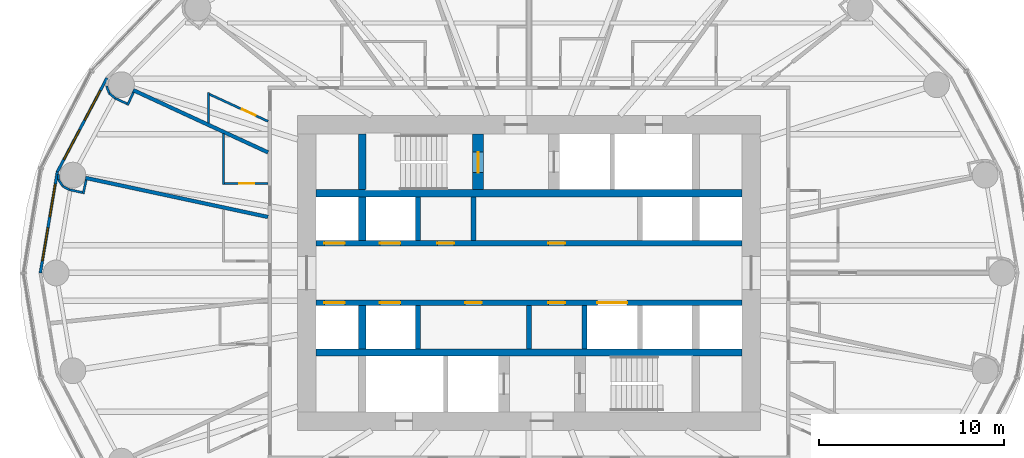
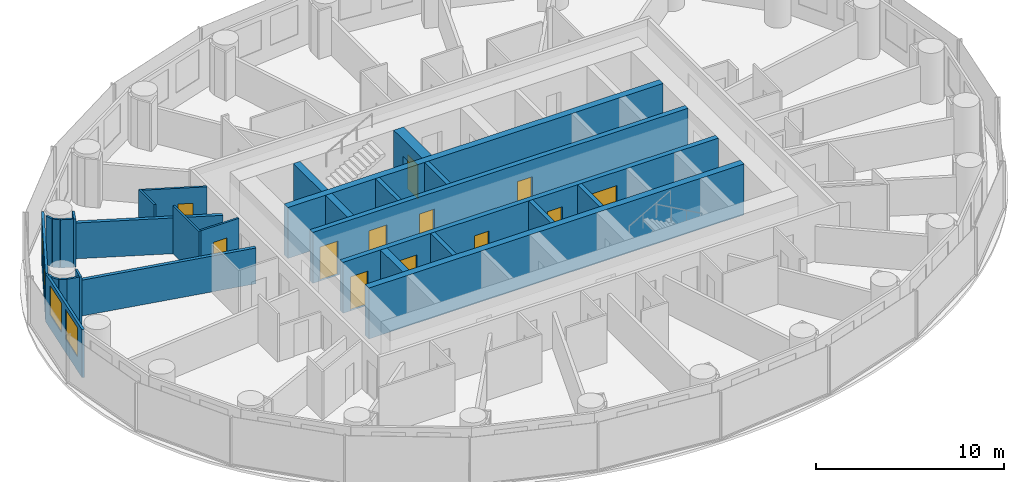
# One storey, part 8 of 14: 30 walls, 12 doors, 4 windows, 16 openings.
"""IFC4 building model written with IfcOpenShell, lengths in metres."""

from ifc_helpers import new_model, si_unit, direction, frame, frame_2d, origin, place, context, subcontext, project, spatial, rectangle, extrude, material, layer, layer_set, type_object, element, fill, save


model = new_model("IFC4")

# Units and contexts
model_context = context("Model", 3, precision=1e-05, world=origin(), true_north=direction((0.0, 1.0)))
body_context = subcontext(model_context, "Body", "Model", "MODEL_VIEW")
ifc_project = project(units=[si_unit("LENGTHUNIT", "METRE"), si_unit("AREAUNIT", "SQUARE_METRE"), si_unit("VOLUMEUNIT", "CUBIC_METRE"), si_unit("PLANEANGLEUNIT", "RADIAN"), si_unit("MASSUNIT", "GRAM", prefix="KILO")], contexts=[model_context])

# Site, building, storey
site_placement = place(None, origin())
site = spatial("IfcSite", under=ifc_project, at=site_placement, CompositionType="ELEMENT")
building_placement = place(site_placement, origin())
building = spatial("IfcBuilding", under=site, at=building_placement, Name="Hankou Lantern Tower", CompositionType="ELEMENT")
storey_placement = place(building_placement, frame((0.0, 0.0, 60.60009765625)))
storey = spatial("IfcBuildingStorey", under=building, at=storey_placement, Name="L14", CompositionType="ELEMENT", Elevation=60.60009765625)

# Walls
ifc_material_1 = material(Name="Concrete C60", Category="concrete")
ifc_layer_1 = layer(ifc_material_1, 0.39990234375)
ifc_layer_set_1 = layer_set([ifc_layer_1], Name="Concrete C60")
wall_type_1 = type_object("IfcWallType", Name="CW4 CORE CROSS WALL 400", PredefinedType="SHEAR", material=ifc_layer_set_1)
for number, where, z_axis, x_axis, name in (
    (1, (-11.5, 4.300048828125, 0.0), (0.0, 0.0, 1.0), (1.0, 0.0, 0.0), "Core band wall north L14"),
    (2, (-11.5, -4.300048828125, 0.0), (0.0, 0.0, 1.0), (1.0, 0.0, 0.0), "Core band wall south L14"),
):
    element("IfcWall", number, at=place(storey_placement, frame(where, z_axis=z_axis, x_axis=x_axis)), inside=storey, type_object=wall_type_1, Name=name, PredefinedType="SHEAR", context=body_context, shape_type="SweptSolid", body=[
        extrude(rectangle(XDim=23.0, YDim=0.39990234375, at=frame_2d((11.5, 0.0))), origin(), (0.0, 0.0, 1.0), 3.2998046875),
    ])
wall_1_placement = place(storey_placement, frame((-9.0, 4.5, 0.0), z_axis=(0.0, 0.0, 1.0), x_axis=(0.0, 1.0, 0.0)))
element("IfcWall", 3, at=wall_1_placement, inside=storey, type_object=wall_type_1, Name="Core strip wall L14", PredefinedType="SHEAR", context=body_context, shape_type="SweptSolid", body=[
    extrude(rectangle(XDim=3.0, YDim=0.39990234375, at=frame_2d((1.5, 0.0))), origin(), (0.0, 0.0, 1.0), 3.2998046875),
])
for number, where, z_axis, x_axis, name in (
    (4, (-9.0, 1.75, 0.0), (0.0, 0.0, 1.0), (0.0, 1.0, 0.0), "Core strip wall L14"),
    (5, (-9.0, -4.10009765625, 0.0), (0.0, 0.0, 1.0), (0.0, 1.0, 0.0), "Core strip wall L14"),
):
    element("IfcWall", number, at=place(storey_placement, frame(where, z_axis=z_axis, x_axis=x_axis)), inside=storey, type_object=wall_type_1, Name=name, PredefinedType="SHEAR", context=body_context, shape_type="SweptSolid", body=[
        extrude(rectangle(XDim=2.35009765625, YDim=0.39990234375, at=frame_2d((1.175048828125, 0.0))), origin(), (0.0, 0.0, 1.0), 3.2998046875),
    ])

# Wall, openings, doors
ifc_material_2 = material(Name="Concrete C60", Category="concrete")
ifc_layer_2 = layer(ifc_material_2, 0.300048828125)
ifc_layer_set_2 = layer_set([ifc_layer_2], Name="Concrete C60")
wall_type_2 = type_object("IfcWallType", Name="CW5 LIFT LOBBY WALL 300", PredefinedType="SHEAR", material=ifc_layer_set_2)
wall_2_placement = place(storey_placement, frame((-11.5, 1.60009765625, 0.0), z_axis=(0.0, 0.0, 1.0), x_axis=(1.0, 0.0, 0.0)))
wall_2 = element("IfcWall", 6, at=wall_2_placement, inside=storey, type_object=wall_type_2, Name="Lift lobby wall north L14", PredefinedType="SHEAR", context=body_context, shape_type="SweptSolid", body=[
    extrude(rectangle(XDim=23.0, YDim=0.300048828125, at=frame_2d((11.5, 0.0))), origin(), (0.0, 0.0, 1.0), 3.2998046875),
])
opening_1_placement = place(wall_2_placement, frame((0.449951171875, 0.0, 0.0)))
opening_1 = element("IfcOpeningElement", 7, at=opening_1_placement, cuts=wall_2, Name="Opening LD1", PredefinedType="OPENING", context=body_context, shape_type="SweptSolid", body=[
    extrude(rectangle(XDim=1.10009765625, YDim=2.199951171875, at=frame_2d((0.550048828125, 1.10009765625))), frame((0.0, 0.159912109375, 0.0), z_axis=(0.0, -1.0, 0.0), x_axis=(1.0, 0.0, 0.0)), (0.0, 0.0, 1.0), 0.320068359375),
])
opening_2_placement = place(wall_2_placement, frame((3.449951171875, 0.0, 0.0)))
opening_2 = element("IfcOpeningElement", 8, at=opening_2_placement, cuts=wall_2, Name="Opening LD1", PredefinedType="OPENING", context=body_context, shape_type="SweptSolid", body=[
    extrude(rectangle(XDim=1.10009765625, YDim=2.199951171875, at=frame_2d((0.550048828125, 1.10009765625))), frame((0.0, 0.159912109375, 0.0), z_axis=(0.0, -1.0, 0.0), x_axis=(1.0, 0.0, 0.0)), (0.0, 0.0, 1.0), 0.320068359375),
])
opening_3_placement = place(wall_2_placement, frame((6.550048828125, 0.0, 0.0)))
opening_3 = element("IfcOpeningElement", 9, at=opening_3_placement, cuts=wall_2, Name="Opening D30", PredefinedType="OPENING", context=body_context, shape_type="SweptSolid", body=[
    extrude(rectangle(XDim=0.89990234375, YDim=2.199951171875, at=frame_2d((0.449951171875, 1.10009765625))), frame((0.0, 0.159912109375, 0.0), z_axis=(0.0, -1.0, 0.0), x_axis=(1.0, 0.0, 0.0)), (0.0, 0.0, 1.0), 0.320068359375),
])
opening_4_placement = place(wall_2_placement, frame((12.550048828125, 0.0, 0.0)))
opening_4 = element("IfcOpeningElement", 10, at=opening_4_placement, cuts=wall_2, Name="Opening D30", PredefinedType="OPENING", context=body_context, shape_type="SweptSolid", body=[
    extrude(rectangle(XDim=0.89990234375, YDim=2.199951171875, at=frame_2d((0.449951171875, 1.10009765625))), frame((0.0, 0.159912109375, 0.0), z_axis=(0.0, -1.0, 0.0), x_axis=(1.0, 0.0, 0.0)), (0.0, 0.0, 1.0), 0.320068359375),
])
ifc_material_3 = material(Name="Steel door leaf", Category="steel")
door_type_1 = type_object("IfcDoorType", Name="D30 CORE ROOM DOOR 900X2200", OperationType="SINGLE_SWING_LEFT", PredefinedType="DOOR", material=ifc_material_3)
door_1_placement = place(opening_3_placement, origin())
door_1 = element("IfcDoor", 11, at=door_1_placement, inside=storey, type_object=door_type_1, Name="Room service pantry door", OperationType="SINGLE_SWING_LEFT", OverallHeight=2.199951171875, OverallWidth=0.89990234375, PredefinedType="DOOR", context=body_context, shape_type="SweptSolid", body=[
    extrude(rectangle(XDim=0.89990234375, YDim=2.199951171875, at=frame_2d((0.449951171875, 1.10009765625))), frame((0.0, 0.02490234375, 0.0), z_axis=(0.0, -1.0, 0.0), x_axis=(1.0, 0.0, 0.0)), (0.0, 0.0, 1.0), 0.050048828125),
])
fill(opening_3, door_1)
door_2_placement = place(opening_4_placement, origin())
door_2 = element("IfcDoor", 12, at=door_2_placement, inside=storey, type_object=door_type_1, Name="Housekeeping and linen store door", OperationType="SINGLE_SWING_RIGHT", OverallHeight=2.199951171875, OverallWidth=0.89990234375, PredefinedType="DOOR", context=body_context, shape_type="SweptSolid", body=[
    extrude(rectangle(XDim=0.89990234375, YDim=2.199951171875, at=frame_2d((0.449951171875, 1.10009765625))), frame((0.0, 0.02490234375, 0.0), z_axis=(0.0, -1.0, 0.0), x_axis=(1.0, 0.0, 0.0)), (0.0, 0.0, 1.0), 0.050048828125),
])
fill(opening_4, door_2)
ifc_material_4 = material(Name="Steel door leaf", Category="steel")
door_type_2 = type_object("IfcDoorType", Name="LD1 LIFT LANDING DOOR 1100X2200", OperationType="DOUBLE_DOOR_SLIDING", PredefinedType="DOOR", material=ifc_material_4)
door_3_placement = place(opening_1_placement, origin())
door_3 = element("IfcDoor", 13, at=door_3_placement, inside=storey, type_object=door_type_2, Name="Lift L1 landing door", OperationType="DOUBLE_DOOR_SLIDING", OverallHeight=2.199951171875, OverallWidth=1.10009765625, PredefinedType="DOOR", context=body_context, shape_type="SweptSolid", body=[
    extrude(rectangle(XDim=1.10009765625, YDim=2.199951171875, at=frame_2d((0.550048828125, 1.10009765625))), frame((0.0, 0.02490234375, 0.0), z_axis=(0.0, -1.0, 0.0), x_axis=(1.0, 0.0, 0.0)), (0.0, 0.0, 1.0), 0.050048828125),
])
fill(opening_1, door_3)
door_4_placement = place(opening_2_placement, origin())
door_4 = element("IfcDoor", 14, at=door_4_placement, inside=storey, type_object=door_type_2, Name="Lift L2 landing door", OperationType="DOUBLE_DOOR_SLIDING", OverallHeight=2.199951171875, OverallWidth=1.10009765625, PredefinedType="DOOR", context=body_context, shape_type="SweptSolid", body=[
    extrude(rectangle(XDim=1.10009765625, YDim=2.199951171875, at=frame_2d((0.550048828125, 1.10009765625))), frame((0.0, 0.02490234375, 0.0), z_axis=(0.0, -1.0, 0.0), x_axis=(1.0, 0.0, 0.0)), (0.0, 0.0, 1.0), 0.050048828125),
])
fill(opening_2, door_4)

wall_3_placement = place(storey_placement, frame((-11.5, -1.60009765625, 0.0), z_axis=(0.0, 0.0, 1.0), x_axis=(1.0, 0.0, 0.0)))
wall_3 = element("IfcWall", 15, at=wall_3_placement, inside=storey, type_object=wall_type_2, Name="Lift lobby wall south L14", PredefinedType="SHEAR", context=body_context, shape_type="SweptSolid", body=[
    extrude(rectangle(XDim=23.0, YDim=0.300048828125, at=frame_2d((11.5, 0.0))), origin(), (0.0, 0.0, 1.0), 3.2998046875),
])
opening_5_placement = place(wall_3_placement, frame((0.449951171875, 0.0, 0.0)))
opening_5 = element("IfcOpeningElement", 16, at=opening_5_placement, cuts=wall_3, Name="Opening LD1", PredefinedType="OPENING", context=body_context, shape_type="SweptSolid", body=[
    extrude(rectangle(XDim=1.10009765625, YDim=2.199951171875, at=frame_2d((0.550048828125, 1.10009765625))), frame((0.0, 0.159912109375, 0.0), z_axis=(0.0, -1.0, 0.0), x_axis=(1.0, 0.0, 0.0)), (0.0, 0.0, 1.0), 0.320068359375),
])
opening_6_placement = place(wall_3_placement, frame((3.449951171875, 0.0, 0.0)))
opening_6 = element("IfcOpeningElement", 17, at=opening_6_placement, cuts=wall_3, Name="Opening LD1", PredefinedType="OPENING", context=body_context, shape_type="SweptSolid", body=[
    extrude(rectangle(XDim=1.10009765625, YDim=2.199951171875, at=frame_2d((0.550048828125, 1.10009765625))), frame((0.0, 0.159912109375, 0.0), z_axis=(0.0, -1.0, 0.0), x_axis=(1.0, 0.0, 0.0)), (0.0, 0.0, 1.0), 0.320068359375),
])
opening_7_placement = place(wall_3_placement, frame((15.199951171875, 0.0, 0.0)))
opening_7 = element("IfcOpeningElement", 18, at=opening_7_placement, cuts=wall_3, Name="Opening LD4", PredefinedType="OPENING", context=body_context, shape_type="SweptSolid", body=[
    extrude(rectangle(XDim=1.60009765625, YDim=2.39990234375, at=frame_2d((0.800048828125, 1.199951171875))), frame((0.0, 0.159912109375, 0.0), z_axis=(0.0, -1.0, 0.0), x_axis=(1.0, 0.0, 0.0)), (0.0, 0.0, 1.0), 0.320068359375),
])
opening_8_placement = place(wall_3_placement, frame((8.050048828125, 0.0, 0.0)))
opening_8 = element("IfcOpeningElement", 19, at=opening_8_placement, cuts=wall_3, Name="Opening D30", PredefinedType="OPENING", context=body_context, shape_type="SweptSolid", body=[
    extrude(rectangle(XDim=0.89990234375, YDim=2.199951171875, at=frame_2d((0.449951171875, 1.10009765625))), frame((0.0, 0.159912109375, 0.0), z_axis=(0.0, -1.0, 0.0), x_axis=(1.0, 0.0, 0.0)), (0.0, 0.0, 1.0), 0.320068359375),
])
opening_9_placement = place(wall_3_placement, frame((12.550048828125, 0.0, 0.0)))
opening_9 = element("IfcOpeningElement", 20, at=opening_9_placement, cuts=wall_3, Name="Opening D30", PredefinedType="OPENING", context=body_context, shape_type="SweptSolid", body=[
    extrude(rectangle(XDim=0.89990234375, YDim=2.199951171875, at=frame_2d((0.449951171875, 1.10009765625))), frame((0.0, 0.159912109375, 0.0), z_axis=(0.0, -1.0, 0.0), x_axis=(1.0, 0.0, 0.0)), (0.0, 0.0, 1.0), 0.320068359375),
])
door_5_placement = place(opening_8_placement, origin())
door_5 = element("IfcDoor", 21, at=door_5_placement, inside=storey, type_object=door_type_1, Name="Staff locker room door", OperationType="SINGLE_SWING_LEFT", OverallHeight=2.199951171875, OverallWidth=0.89990234375, PredefinedType="DOOR", context=body_context, shape_type="SweptSolid", body=[
    extrude(rectangle(XDim=0.89990234375, YDim=2.199951171875, at=frame_2d((0.449951171875, 1.10009765625))), frame((0.0, 0.02490234375, 0.0), z_axis=(0.0, -1.0, 0.0), x_axis=(1.0, 0.0, 0.0)), (0.0, 0.0, 1.0), 0.050048828125),
])
fill(opening_8, door_5)
door_6_placement = place(opening_9_placement, origin())
door_6 = element("IfcDoor", 22, at=door_6_placement, inside=storey, type_object=door_type_1, Name="Guest pantry and ice room door", OperationType="SINGLE_SWING_RIGHT", OverallHeight=2.199951171875, OverallWidth=0.89990234375, PredefinedType="DOOR", context=body_context, shape_type="SweptSolid", body=[
    extrude(rectangle(XDim=0.89990234375, YDim=2.199951171875, at=frame_2d((0.449951171875, 1.10009765625))), frame((0.0, 0.02490234375, 0.0), z_axis=(0.0, -1.0, 0.0), x_axis=(1.0, 0.0, 0.0)), (0.0, 0.0, 1.0), 0.050048828125),
])
fill(opening_9, door_6)
door_7_placement = place(opening_5_placement, origin())
door_7 = element("IfcDoor", 23, at=door_7_placement, inside=storey, type_object=door_type_2, Name="Lift L3 landing door", OperationType="DOUBLE_DOOR_SLIDING", OverallHeight=2.199951171875, OverallWidth=1.10009765625, PredefinedType="DOOR", context=body_context, shape_type="SweptSolid", body=[
    extrude(rectangle(XDim=1.10009765625, YDim=2.199951171875, at=frame_2d((0.550048828125, 1.10009765625))), frame((0.0, 0.02490234375, 0.0), z_axis=(0.0, -1.0, 0.0), x_axis=(1.0, 0.0, 0.0)), (0.0, 0.0, 1.0), 0.050048828125),
])
fill(opening_5, door_7)
door_8_placement = place(opening_6_placement, origin())
door_8 = element("IfcDoor", 24, at=door_8_placement, inside=storey, type_object=door_type_2, Name="Lift L4 landing door", OperationType="DOUBLE_DOOR_SLIDING", OverallHeight=2.199951171875, OverallWidth=1.10009765625, PredefinedType="DOOR", context=body_context, shape_type="SweptSolid", body=[
    extrude(rectangle(XDim=1.10009765625, YDim=2.199951171875, at=frame_2d((0.550048828125, 1.10009765625))), frame((0.0, 0.02490234375, 0.0), z_axis=(0.0, -1.0, 0.0), x_axis=(1.0, 0.0, 0.0)), (0.0, 0.0, 1.0), 0.050048828125),
])
fill(opening_6, door_8)
ifc_material_5 = material(Name="Steel door leaf", Category="steel")
door_type_3 = type_object("IfcDoorType", Name="LD4 SERVICE LIFT LANDING DOOR 1600X2400", OperationType="DOUBLE_DOOR_SLIDING", PredefinedType="DOOR", material=ifc_material_5)
door_9_placement = place(opening_7_placement, origin())
door_9 = element("IfcDoor", 25, at=door_9_placement, inside=storey, type_object=door_type_3, Name="Lift SV1 landing door", OperationType="DOUBLE_DOOR_SLIDING", OverallHeight=2.39990234375, OverallWidth=1.60009765625, PredefinedType="DOOR", context=body_context, shape_type="SweptSolid", body=[
    extrude(rectangle(XDim=1.60009765625, YDim=2.39990234375, at=frame_2d((0.800048828125, 1.199951171875))), frame((0.0, 0.02490234375, 0.0), z_axis=(0.0, -1.0, 0.0), x_axis=(1.0, 0.0, 0.0)), (0.0, 0.0, 1.0), 0.050048828125),
])
fill(opening_7, door_9)

# Wall, opening, door
ifc_material_6 = material(Name="Concrete C60", Category="concrete")
ifc_layer_3 = layer(ifc_material_6, 0.60009765625)
ifc_layer_set_3 = layer_set([ifc_layer_3], Name="Concrete C60")
wall_type_3 = type_object("IfcWallType", Name="CW6 STAIR AND SHAFT WALL 600", PredefinedType="SHEAR", material=ifc_layer_set_3)
wall_4_placement = place(storey_placement, frame((-2.75, 4.5, 0.0), z_axis=(0.0, 0.0, 1.0), x_axis=(0.0, 1.0, 0.0)))
wall_4 = element("IfcWall", 26, at=wall_4_placement, inside=storey, type_object=wall_type_3, Name="Stair wall L14", PredefinedType="SHEAR", context=body_context, shape_type="SweptSolid", body=[
    extrude(rectangle(XDim=3.0, YDim=0.60009765625, at=frame_2d((1.5, 0.0))), origin(), (0.0, 0.0, 1.0), 3.2998046875),
])
opening_10_placement = place(wall_4_placement, frame((0.925048828125, 0.0, 0.0)))
opening_10 = element("IfcOpeningElement", 27, at=opening_10_placement, cuts=wall_4, Name="Opening D4", PredefinedType="OPENING", context=body_context, shape_type="SweptSolid", body=[
    extrude(rectangle(XDim=1.10009765625, YDim=2.199951171875, at=frame_2d((0.550048828125, 1.10009765625))), frame((0.0, 0.31005859375, 0.0), z_axis=(0.0, -1.0, 0.0), x_axis=(1.0, 0.0, 0.0)), (0.0, 0.0, 1.0), 0.6201171875),
])
ifc_material_7 = material(Name="Steel door leaf", Category="steel")
door_type_4 = type_object("IfcDoorType", Name="D4 STAIR DOOR 1100X2200", OperationType="SINGLE_SWING_LEFT", PredefinedType="DOOR", material=ifc_material_7)
door_10_placement = place(opening_10_placement, origin())
door_10 = element("IfcDoor", 28, at=door_10_placement, inside=storey, type_object=door_type_4, Name="Stair A door", OperationType="SINGLE_SWING_LEFT", OverallHeight=2.199951171875, OverallWidth=1.10009765625, PredefinedType="DOOR", context=body_context, shape_type="SweptSolid", body=[
    extrude(rectangle(XDim=1.10009765625, YDim=2.199951171875, at=frame_2d((0.550048828125, 1.10009765625))), frame((0.0, 0.02490234375, 0.0), z_axis=(0.0, -1.0, 0.0), x_axis=(1.0, 0.0, 0.0)), (0.0, 0.0, 1.0), 0.050048828125),
])
fill(opening_10, door_10)

# Wall, openings, windows
ifc_material_8 = material(Name="Aluminium spandrel panel on steel studs", Category="steel")
ifc_layer_4 = layer(ifc_material_8, 0.14990234375)
ifc_layer_set_4 = layer_set([ifc_layer_4], Name="Aluminium spandrel panel on steel studs")
wall_type_4 = type_object("IfcWallType", Name="EW1 INNER SKIN WALL 150", PredefinedType="ELEMENTEDWALL", material=ifc_layer_set_4)
wall_5_placement = place(storey_placement, frame((-22.802734375, 10.5322265625, 0.0), z_axis=(0.0, 0.0, 1.0), x_axis=(-0.467296867008, -0.884100468321, 0.0)))
wall_5 = element("IfcWall", 29, at=wall_5_placement, inside=storey, type_object=wall_type_4, Name="Inner skin R11-R12 L14", PredefinedType="ELEMENTEDWALL", context=body_context, shape_type="SweptSolid", body=[
    extrude(rectangle(XDim=5.734375, YDim=0.14990234375, at=frame_2d((2.8671875, 0.0))), origin(), (0.0, 0.0, 1.0), 3.119873046875),
])
opening_11_placement = place(wall_5_placement, frame((0.76708984375, 0.0, 0.89990234375)))
opening_11 = element("IfcOpeningElement", 30, at=opening_11_placement, cuts=wall_5, Name="Opening W1", PredefinedType="OPENING", context=body_context, shape_type="SweptSolid", body=[
    extrude(rectangle(XDim=1.800048828125, YDim=1.89990234375, at=frame_2d((0.89990234375, 0.949951171875))), frame((0.0, 0.0849609375, 0.0), z_axis=(0.0, -1.0, 0.0), x_axis=(1.0, 0.0, 0.0)), (0.0, 0.0, 1.0), 0.169921875),
])
opening_12_placement = place(wall_5_placement, frame((3.167236328125, 0.0, 0.89990234375)))
opening_12 = element("IfcOpeningElement", 31, at=opening_12_placement, cuts=wall_5, Name="Opening W1", PredefinedType="OPENING", context=body_context, shape_type="SweptSolid", body=[
    extrude(rectangle(XDim=1.800048828125, YDim=1.89990234375, at=frame_2d((0.89990234375, 0.949951171875))), frame((0.0, 0.0849609375, 0.0), z_axis=(0.0, -1.0, 0.0), x_axis=(1.0, 0.0, 0.0)), (0.0, 0.0, 1.0), 0.169921875),
])
ifc_material_9 = material(Name="Aluminium framed double glazed window", Category="aluminium")
window_type = type_object("IfcWindowType", Name="W1 GUEST ROOM WINDOW 1800X1900", PartitioningType="DOUBLE_PANEL_VERTICAL", PredefinedType="WINDOW", material=ifc_material_9)
window_1_placement = place(opening_11_placement, origin())
window_1 = element("IfcWindow", 32, at=window_1_placement, inside=storey, type_object=window_type, Name="Window R11.1 L14", OverallHeight=1.89990234375, OverallWidth=1.800048828125, PartitioningType="SINGLE_PANEL", PredefinedType="WINDOW", context=body_context, shape_type="SweptSolid", body=[
    extrude(rectangle(XDim=1.800048828125, YDim=1.89990234375, at=frame_2d((0.89990234375, 0.949951171875))), frame((0.0, 0.030029296875, 0.0), z_axis=(0.0, -1.0, 0.0), x_axis=(1.0, 0.0, 0.0)), (0.0, 0.0, 1.0), 0.06005859375),
])
fill(opening_11, window_1)
window_2_placement = place(opening_12_placement, origin())
window_2 = element("IfcWindow", 33, at=window_2_placement, inside=storey, type_object=window_type, Name="Window R11.2 L14", OverallHeight=1.89990234375, OverallWidth=1.800048828125, PartitioningType="SINGLE_PANEL", PredefinedType="WINDOW", context=body_context, shape_type="SweptSolid", body=[
    extrude(rectangle(XDim=1.800048828125, YDim=1.89990234375, at=frame_2d((0.89990234375, 0.949951171875))), frame((0.0, 0.030029296875, 0.0), z_axis=(0.0, -1.0, 0.0), x_axis=(1.0, 0.0, 0.0)), (0.0, 0.0, 1.0), 0.06005859375),
])
fill(opening_12, window_2)

wall_6_placement = place(storey_placement, frame((-25.482421875, 5.46240234375, 0.0), z_axis=(0.0, 0.0, 1.0), x_axis=(-0.165642551694, -0.986185857264, 0.0)))
wall_6 = element("IfcWall", 34, at=wall_6_placement, inside=storey, type_object=wall_type_4, Name="Inner skin R12-R13 L14", PredefinedType="ELEMENTEDWALL", context=body_context, shape_type="SweptSolid", body=[
    extrude(rectangle(XDim=5.538818359375, YDim=0.14990234375, at=frame_2d((2.76953125, 0.0))), origin(), (0.0, 0.0, 1.0), 3.119873046875),
])
opening_13_placement = place(wall_6_placement, frame((0.66943359375, 0.0, 0.89990234375)))
opening_13 = element("IfcOpeningElement", 35, at=opening_13_placement, cuts=wall_6, Name="Opening W1", PredefinedType="OPENING", context=body_context, shape_type="SweptSolid", body=[
    extrude(rectangle(XDim=1.800048828125, YDim=1.89990234375, at=frame_2d((0.89990234375, 0.949951171875))), frame((0.0, 0.0849609375, 0.0), z_axis=(0.0, -1.0, 0.0), x_axis=(1.0, 0.0, 0.0)), (0.0, 0.0, 1.0), 0.169921875),
])
opening_14_placement = place(wall_6_placement, frame((3.069580078125, 0.0, 0.89990234375)))
opening_14 = element("IfcOpeningElement", 36, at=opening_14_placement, cuts=wall_6, Name="Opening W1", PredefinedType="OPENING", context=body_context, shape_type="SweptSolid", body=[
    extrude(rectangle(XDim=1.800048828125, YDim=1.89990234375, at=frame_2d((0.89990234375, 0.949951171875))), frame((0.0, 0.0849609375, 0.0), z_axis=(0.0, -1.0, 0.0), x_axis=(1.0, 0.0, 0.0)), (0.0, 0.0, 1.0), 0.169921875),
])
window_3_placement = place(opening_13_placement, origin())
window_3 = element("IfcWindow", 37, at=window_3_placement, inside=storey, type_object=window_type, Name="Window R12.1 L14", OverallHeight=1.89990234375, OverallWidth=1.800048828125, PartitioningType="SINGLE_PANEL", PredefinedType="WINDOW", context=body_context, shape_type="SweptSolid", body=[
    extrude(rectangle(XDim=1.800048828125, YDim=1.89990234375, at=frame_2d((0.89990234375, 0.949951171875))), frame((0.0, 0.030029296875, 0.0), z_axis=(0.0, -1.0, 0.0), x_axis=(1.0, 0.0, 0.0)), (0.0, 0.0, 1.0), 0.06005859375),
])
fill(opening_13, window_3)
window_4_placement = place(opening_14_placement, origin())
window_4 = element("IfcWindow", 38, at=window_4_placement, inside=storey, type_object=window_type, Name="Window R12.2 L14", OverallHeight=1.89990234375, OverallWidth=1.800048828125, PartitioningType="SINGLE_PANEL", PredefinedType="WINDOW", context=body_context, shape_type="SweptSolid", body=[
    extrude(rectangle(XDim=1.800048828125, YDim=1.89990234375, at=frame_2d((0.89990234375, 0.949951171875))), frame((0.0, 0.030029296875, 0.0), z_axis=(0.0, -1.0, 0.0), x_axis=(1.0, 0.0, 0.0)), (0.0, 0.0, 1.0), 0.06005859375),
])
fill(opening_14, window_4)

# Walls
ifc_material_10 = material(Name="Masonry lightweight concrete block", Category="masonry")
ifc_layer_5 = layer(ifc_material_10, 0.199951171875)
ifc_layer_set_5 = layer_set([ifc_layer_5], Name="Masonry lightweight concrete block")
wall_type_5 = type_object("IfcWallType", Name="IW1 GUEST ROOM PARTY WALL 200", PredefinedType="PARTITIONING", material=ifc_layer_set_5)
wall_7_placement = place(storey_placement, frame((-14.10009765625, 6.512451171875, 0.0), z_axis=(0.0, 0.0, 1.0), x_axis=(-0.907832871056, 0.419332181247, 0.0)))
element("IfcWall", 39, at=wall_7_placement, inside=storey, type_object=wall_type_5, Name="Party wall R11", PredefinedType="PARTITIONING", context=body_context, shape_type="SweptSolid", body=[
    extrude(rectangle(XDim=8.02294921875, YDim=0.199951171875, at=frame_2d((4.011474609375, 0.0))), origin(), (0.0, 0.0, 1.0), 2.31982421875),
])
wall_8_placement = place(storey_placement, frame((-14.10009765625, 3.0224609375, 0.0), z_axis=(0.0, 0.0, 1.0), x_axis=(-0.977790014929, 0.209586943072, 0.0)))
element("IfcWall", 40, at=wall_8_placement, inside=storey, type_object=wall_type_5, Name="Party wall R12", PredefinedType="PARTITIONING", context=body_context, shape_type="SweptSolid", body=[
    extrude(rectangle(XDim=10.086669921875, YDim=0.199951171875, at=frame_2d((5.04345703125, 0.0))), origin(), (0.0, 0.0, 1.0), 2.31982421875),
])
ifc_material_11 = material(Name="Masonry lightweight concrete block", Category="masonry")
ifc_layer_6 = layer(ifc_material_11, 0.1201171875)
ifc_layer_set_6 = layer_set([ifc_layer_6], Name="Masonry lightweight concrete block")
wall_type_6 = type_object("IfcWallType", Name="IW3 BATHROOM WALL 120", PredefinedType="PARTITIONING", material=ifc_layer_set_6)
wall_9_placement = place(storey_placement, frame((-17.32275390625, 8.10107421875, 0.0), z_axis=(0.0, 0.0, 1.0), x_axis=(0.0, 1.0, 0.0)))
element("IfcWall", 41, at=wall_9_placement, inside=storey, type_object=wall_type_6, Name="Box wall 1410 1", PredefinedType="PARTITIONING", context=body_context, shape_type="SweptSolid", body=[
    extrude(rectangle(XDim=1.639892578125, YDim=0.1201171875, at=frame_2d((0.81982421875, 0.0))), origin(), (0.0, 0.0, 1.0), 3.119873046875),
])

# Wall, opening, door
wall_10_placement = place(storey_placement, frame((-14.10009765625, 8.192626953125, 0.0), z_axis=(0.0, 0.0, 1.0), x_axis=(-0.907836493557, 0.419324338628, 0.0)))
wall_10 = element("IfcWall", 42, at=wall_10_placement, inside=storey, type_object=wall_type_6, Name="Box wall 1410 1", PredefinedType="PARTITIONING", context=body_context, shape_type="SweptSolid", body=[
    extrude(rectangle(XDim=3.48974609375, YDim=0.1201171875, at=frame_2d((1.744873046875, 0.0))), origin(), (0.0, 0.0, 1.0), 3.119873046875),
])
opening_15_placement = place(wall_10_placement, frame((0.75, 0.0, 0.0)))
opening_15 = element("IfcOpeningElement", 43, at=opening_15_placement, cuts=wall_10, Name="Opening D3", PredefinedType="OPENING", context=body_context, shape_type="SweptSolid", body=[
    extrude(rectangle(XDim=0.800048828125, YDim=2.10009765625, at=frame_2d((0.39990234375, 1.050048828125))), frame((0.0, 0.070068359375, 0.0), z_axis=(0.0, -1.0, 0.0), x_axis=(1.0, 0.0, 0.0)), (0.0, 0.0, 1.0), 0.14013671875),
])
ifc_material_12 = material(Name="Timber door leaf", Category="wood")
door_type_5 = type_object("IfcDoorType", Name="D3 BATHROOM DOOR 800X2100", OperationType="SINGLE_SWING_LEFT", PredefinedType="DOOR", material=ifc_material_12)
door_11_placement = place(opening_15_placement, origin())
door_11 = element("IfcDoor", 44, at=door_11_placement, inside=storey, type_object=door_type_5, Name="En-suite bathroom 1410 door", OperationType="SINGLE_SWING_LEFT", OverallHeight=2.10009765625, OverallWidth=0.800048828125, PredefinedType="DOOR", context=body_context, shape_type="SweptSolid", body=[
    extrude(rectangle(XDim=0.800048828125, YDim=2.10009765625, at=frame_2d((0.39990234375, 1.050048828125))), frame((0.0, 0.02490234375, 0.0), z_axis=(0.0, -1.0, 0.0), x_axis=(1.0, 0.0, 0.0)), (0.0, 0.0, 1.0), 0.050048828125),
])
fill(opening_15, door_11)

# Wall
wall_11_placement = place(storey_placement, frame((-16.5, 7.52099609375, 0.0), z_axis=(0.0, 0.0, 1.0), x_axis=(0.0, -1.0, 0.0)))
element("IfcWall", 45, at=wall_11_placement, inside=storey, type_object=wall_type_6, Name="Box wall 1411 1", PredefinedType="PARTITIONING", context=body_context, shape_type="SweptSolid", body=[
    extrude(rectangle(XDim=2.74853515625, YDim=0.1201171875, at=frame_2d((1.374267578125, 0.0))), origin(), (0.0, 0.0, 1.0), 3.119873046875),
])

# Wall, opening, door
wall_12_placement = place(storey_placement, frame((-14.10009765625, 4.83251953125, 0.0), z_axis=(0.0, 0.0, 1.0), x_axis=(-1.0, 0.0, 0.0)))
wall_12 = element("IfcWall", 46, at=wall_12_placement, inside=storey, type_object=wall_type_6, Name="Box wall 1411 1", PredefinedType="PARTITIONING", context=body_context, shape_type="SweptSolid", body=[
    extrude(rectangle(XDim=2.33984375, YDim=0.1201171875, at=frame_2d((1.169921875, 0.0))), origin(), (0.0, 0.0, 1.0), 3.119873046875),
])
opening_16_placement = place(wall_12_placement, frame((0.75, 0.0, 0.0)))
opening_16 = element("IfcOpeningElement", 47, at=opening_16_placement, cuts=wall_12, Name="Opening D3", PredefinedType="OPENING", context=body_context, shape_type="SweptSolid", body=[
    extrude(rectangle(XDim=0.800048828125, YDim=2.10009765625, at=frame_2d((0.39990234375, 1.050048828125))), frame((0.0, 0.070068359375, 0.0), z_axis=(0.0, -1.0, 0.0), x_axis=(1.0, 0.0, 0.0)), (0.0, 0.0, 1.0), 0.14013671875),
])
door_12_placement = place(opening_16_placement, origin())
door_12 = element("IfcDoor", 48, at=door_12_placement, inside=storey, type_object=door_type_5, Name="En-suite bathroom 1411 door", OperationType="SINGLE_SWING_LEFT", OverallHeight=2.10009765625, OverallWidth=0.800048828125, PredefinedType="DOOR", context=body_context, shape_type="SweptSolid", body=[
    extrude(rectangle(XDim=0.800048828125, YDim=2.10009765625, at=frame_2d((0.39990234375, 1.050048828125))), frame((0.0, 0.02490234375, 0.0), z_axis=(0.0, -1.0, 0.0), x_axis=(1.0, 0.0, 0.0)), (0.0, 0.0, 1.0), 0.050048828125),
])
fill(opening_16, door_12)

# Walls
ifc_material_13 = material(Name="Masonry lightweight concrete block", Category="masonry")
ifc_layer_7 = layer(ifc_material_13, 0.1201171875)
ifc_layer_set_7 = layer_set([ifc_layer_7], Name="Masonry lightweight concrete block")
wall_type_7 = type_object("IfcWallType", Name="IW4 PARTITION 120", PredefinedType="PARTITIONING", material=ifc_layer_set_7)
wall_13_placement = place(storey_placement, frame((-21.37109375, 9.7607421875, 0.0), z_axis=(0.0, 0.0, 1.0), x_axis=(-0.419259891039, -0.907866258744, 0.0)))
element("IfcWall", 49, at=wall_13_placement, inside=storey, type_object=wall_type_7, Name="Column casing R11 return", PredefinedType="PARTITIONING", context=body_context, shape_type="SweptSolid", body=[
    extrude(rectangle(XDim=0.767578125, YDim=0.1201171875, at=frame_2d((0.3837890625, 0.0))), origin(), (0.0, 0.0, 1.0), 3.119873046875),
])
wall_14_placement = place(storey_placement, frame((-21.72216796875, 9.1435546875, 0.0), z_axis=(0.0, 0.0, 1.0), x_axis=(-0.907877701396, 0.419235112208, 0.0)))
element("IfcWall", 50, at=wall_14_placement, inside=storey, type_object=wall_type_7, Name="Column casing R11", PredefinedType="PARTITIONING", context=body_context, shape_type="SweptSolid", body=[
    extrude(rectangle(XDim=0.699951171875, YDim=0.1201171875, at=frame_2d((0.35009765625, 0.0))), origin(), (0.0, 0.0, 1.0), 3.119873046875),
])
wall_15_placement = place(storey_placement, frame((-22.357666015625, 9.43701171875, 0.0), z_axis=(0.0, 0.0, 1.0), x_axis=(-0.768412687942, 0.639954639806, 0.0)))
element("IfcWall", 51, at=wall_15_placement, inside=storey, type_object=wall_type_7, Name="Column casing R11", PredefinedType="PARTITIONING", context=body_context, shape_type="SweptSolid", body=[
    extrude(rectangle(XDim=0.418212890625, YDim=0.1201171875, at=frame_2d((0.208984375, 0.0))), origin(), (0.0, 0.0, 1.0), 3.119873046875),
])
wall_16_placement = place(storey_placement, frame((-22.678955078125, 9.70458984375, 0.0), z_axis=(0.0, 0.0, 1.0), x_axis=(-0.345164001646, 0.938542386879, 0.0)))
element("IfcWall", 52, at=wall_16_placement, inside=storey, type_object=wall_type_7, Name="Column casing R11", PredefinedType="PARTITIONING", context=body_context, shape_type="SweptSolid", body=[
    extrude(rectangle(XDim=0.41796875, YDim=0.1201171875, at=frame_2d((0.208984375, 0.0))), origin(), (0.0, 0.0, 1.0), 3.119873046875),
])
wall_17_placement = place(storey_placement, frame((-23.9248046875, 5.026123046875, 0.0), z_axis=(0.0, 0.0, 1.0), x_axis=(-0.209681192172, -0.977769808109, 0.0)))
element("IfcWall", 53, at=wall_17_placement, inside=storey, type_object=wall_type_7, Name="Column casing R12 return", PredefinedType="PARTITIONING", context=body_context, shape_type="SweptSolid", body=[
    extrude(rectangle(XDim=0.767333984375, YDim=0.1201171875, at=frame_2d((0.3837890625, 0.0))), origin(), (0.0, 0.0, 1.0), 3.119873046875),
])
wall_18_placement = place(storey_placement, frame((-24.1318359375, 4.346923828125, 0.0), z_axis=(0.0, 0.0, 1.0), x_axis=(-0.977776882509, 0.209648200638, 0.0)))
element("IfcWall", 54, at=wall_18_placement, inside=storey, type_object=wall_type_7, Name="Column casing R12", PredefinedType="PARTITIONING", context=body_context, shape_type="SweptSolid", body=[
    extrude(rectangle(XDim=0.699951171875, YDim=0.1201171875, at=frame_2d((0.35009765625, 0.0))), origin(), (0.0, 0.0, 1.0), 3.119873046875),
])
for number, where, z_axis, x_axis, name in (
    (55, (-24.816162109375, 4.49365234375, 0.0), (0.0, 0.0, 1.0), (-0.890303208847, 0.455368198623, 0.0), "Column casing R12"),
    (56, (-25.1884765625, 4.68408203125, 0.0), (0.0, 0.0, 1.0), (-0.543057568894, 0.839695466742, 0.0), "Column casing R12"),
):
    element("IfcWall", number, at=place(storey_placement, frame(where, z_axis=z_axis, x_axis=x_axis)), inside=storey, type_object=wall_type_7, Name=name, PredefinedType="PARTITIONING", context=body_context, shape_type="SweptSolid", body=[
        extrude(rectangle(XDim=0.418212890625, YDim=0.1201171875, at=frame_2d((0.208984375, 0.0))), origin(), (0.0, 0.0, 1.0), 3.119873046875),
    ])
wall_19_placement = place(storey_placement, frame((-25.41552734375, 5.03515625, 0.0), z_axis=(0.0, 0.0, 1.0), x_axis=(-0.050406329159, 0.998728793007, 0.0)))
element("IfcWall", 57, at=wall_19_placement, inside=storey, type_object=wall_type_7, Name="Column casing R12", PredefinedType="PARTITIONING", context=body_context, shape_type="SweptSolid", body=[
    extrude(rectangle(XDim=0.28564453125, YDim=0.1201171875, at=frame_2d((0.142822265625, 0.0))), origin(), (0.0, 0.0, 1.0), 3.119873046875),
])
ifc_material_14 = material(Name="Masonry autoclaved aerated concrete block", Category="masonry")
ifc_layer_8 = layer(ifc_material_14, 0.25)
ifc_layer_set_8 = layer_set([ifc_layer_8], Name="Masonry autoclaved aerated concrete block")
wall_type_8 = type_object("IfcWallType", Name="SW1 SHAFT BLOCK WALL 250", PredefinedType="PARTITIONING", material=ifc_layer_set_8)
for number, where, z_axis, x_axis, name in (
    (58, (-6.0, 1.75, 0.0), (0.0, 0.0, 1.0), (0.0, 1.0, 0.0), "Lift shaft wall L14"),
    (59, (-3.0, 1.75, 0.0), (0.0, 0.0, 1.0), (0.0, 1.0, 0.0), "Lift shaft wall L14"),
    (60, (-6.0, -4.10009765625, 0.0), (0.0, 0.0, 1.0), (0.0, 1.0, 0.0), "Lift shaft wall L14"),
    (61, (0.0, -4.10009765625, 0.0), (0.0, 0.0, 1.0), (0.0, 1.0, 0.0), "Lift shaft wall L14"),
    (62, (3.0, -4.10009765625, 0.0), (0.0, 0.0, 1.0), (0.0, 1.0, 0.0), "Lift shaft wall L14"),
):
    element("IfcWall", number, at=place(storey_placement, frame(where, z_axis=z_axis, x_axis=x_axis)), inside=storey, type_object=wall_type_8, Name=name, PredefinedType="PARTITIONING", context=body_context, shape_type="SweptSolid", body=[
        extrude(rectangle(XDim=2.35009765625, YDim=0.25, at=frame_2d((1.175048828125, 0.0))), origin(), (0.0, 0.0, 1.0), 3.2998046875),
    ])

save(model, "model.ifc")
